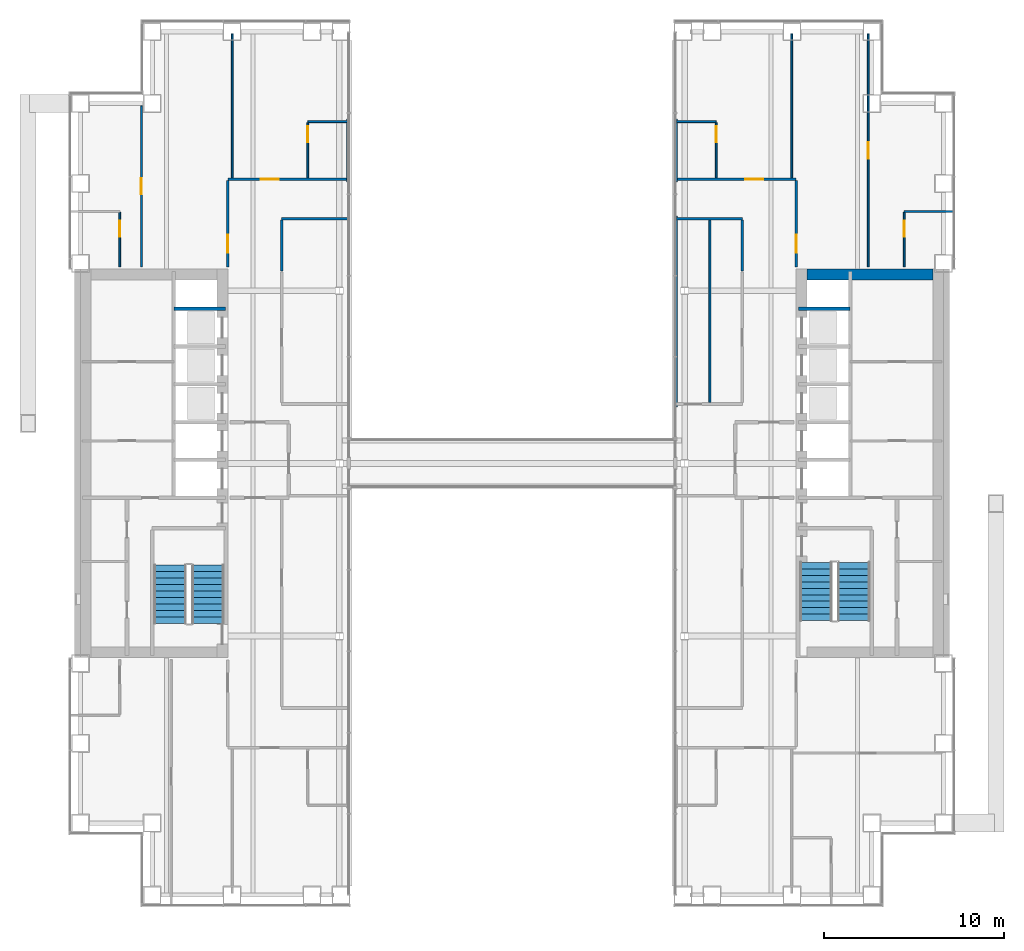
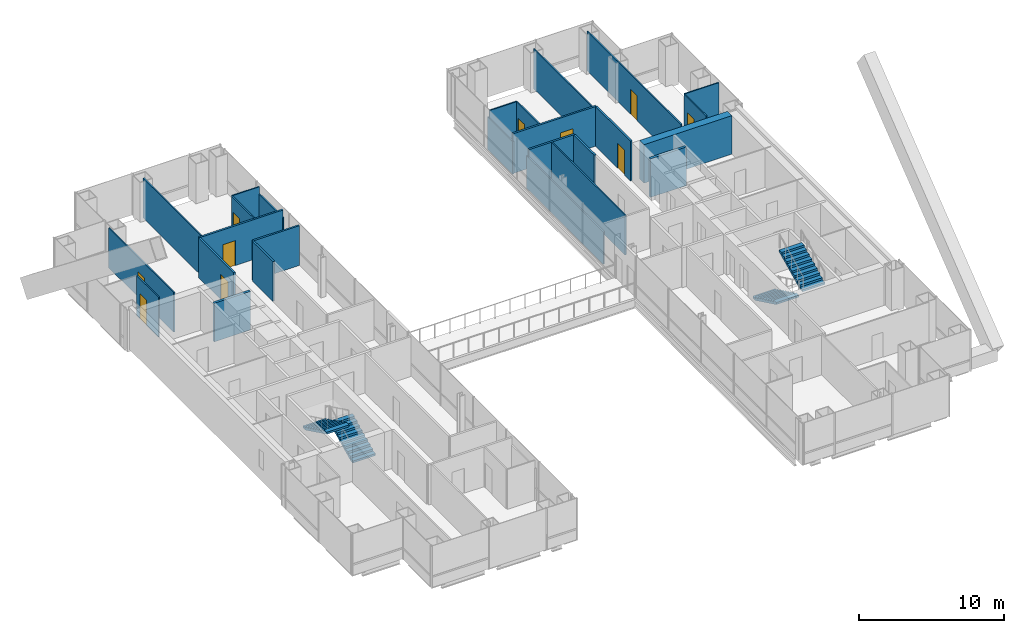
# One storey, part 17 of 19: 26 walls, 10 doors, 4 stair flights, 10 openings, 2 elements without a shape of their own.
"""IFC4 building model written with IfcOpenShell, lengths in metres."""

from ifc_helpers import new_model, si_unit, direction, frame, frame_2d, origin, place, context, subcontext, project, spatial, polyline, rectangle, outline, extrude, material, layer, layer_set, type_object, element, fill, aggregate, save


model = new_model("IFC4")

# Units and contexts
model_context = context("Model", 3, precision=1e-05, world=origin(), true_north=direction((0.0, 1.0)))
body_context = subcontext(model_context, "Body", "Model", "MODEL_VIEW")
ifc_project = project(units=[si_unit("LENGTHUNIT", "METRE"), si_unit("AREAUNIT", "SQUARE_METRE"), si_unit("VOLUMEUNIT", "CUBIC_METRE"), si_unit("PLANEANGLEUNIT", "RADIAN"), si_unit("MASSUNIT", "GRAM", prefix="KILO")], contexts=[model_context])

# Site, building, storey
site_placement = place(None, origin())
site = spatial("IfcSite", under=ifc_project, at=site_placement, CompositionType="ELEMENT")
building_placement = place(site_placement, origin())
building = spatial("IfcBuilding", under=site, at=building_placement, Name="Cobrizo Arcos Hotel Tower", CompositionType="ELEMENT")
storey_placement = place(building_placement, frame((0.0, 0.0, 70.5)))
storey = spatial("IfcBuildingStorey", under=building, at=storey_placement, Name="L16", CompositionType="ELEMENT", Elevation=70.5)

# Walls
ifc_material_1 = material(Name="Gypsum board partition")
ifc_layer_1 = layer(ifc_material_1, 0.14990234375)
ifc_layer_set_1 = layer_set([ifc_layer_1], Name="Corridor wall EI 60 150")
wall_type_1 = type_object("IfcWallType", Name="Corridor wall EI 60 150", PredefinedType="PARTITIONING", material=ifc_layer_set_1)
wall_1_placement = place(storey_placement, frame((-12.800048828125, 13.60009765625, 0.0), z_axis=(0.0, 0.0, 1.0), x_axis=(1.0, 0.0, 0.0)))
element("IfcWall", 1, at=wall_1_placement, inside=storey, type_object=wall_type_1, Name="Partition 038", PredefinedType="PARTITIONING", context=body_context, shape_type="SweptSolid", body=[
    extrude(rectangle(XDim=3.679931640625, YDim=0.14990234375, at=frame_2d((1.83984375, 0.0))), origin(), (0.0, 0.0, 1.0), 3.35009765625),
])
wall_2_placement = place(storey_placement, frame((9.14990234375, 13.60009765625, 0.0), z_axis=(0.0, 0.0, 1.0), x_axis=(1.0, 0.0, 0.0)))
element("IfcWall", 2, at=wall_2_placement, inside=storey, type_object=wall_type_1, Name="Partition 039", PredefinedType="PARTITIONING", context=body_context, shape_type="SweptSolid", body=[
    extrude(rectangle(XDim=3.650146484375, YDim=0.14990234375, at=frame_2d((1.8251953125, 0.0))), origin(), (0.0, 0.0, 1.0), 3.35009765625),
])

# Wall, opening, door
wall_3_placement = place(storey_placement, frame((-15.800048828125, 15.800048828125, 0.0), z_axis=(0.0, 0.0, 1.0), x_axis=(1.0, 0.0, 0.0)))
wall_3 = element("IfcWall", 3, at=wall_3_placement, inside=storey, type_object=wall_type_1, Name="Partition 042", PredefinedType="PARTITIONING", context=body_context, shape_type="SweptSolid", body=[
    extrude(rectangle(XDim=6.650146484375, YDim=0.14990234375, at=frame_2d((3.3251953125, 0.0))), origin(), (0.0, 0.0, 1.0), 3.35009765625),
])
opening_1_placement = place(wall_3_placement, frame((1.846923828125, 0.0, 0.0)))
opening_1 = element("IfcOpeningElement", 4, at=opening_1_placement, cuts=wall_3, Name="Opening GD-02", PredefinedType="OPENING", context=body_context, shape_type="SweptSolid", body=[
    extrude(rectangle(XDim=1.0, YDim=2.10009765625, at=frame_2d((0.5, 1.050048828125))), frame((0.0, 0.0869140625, 0.0), z_axis=(0.0, -1.0, 0.0), x_axis=(1.0, 0.0, 0.0)), (0.0, 0.0, 1.0), 0.173828125),
])
ifc_material_2 = material(Name="Timber door leaf", Category="wood")
door_type_1 = type_object("IfcDoorType", Name="Guest room door FD30S 1000x2100", OperationType="SINGLE_SWING_LEFT", PredefinedType="DOOR", material=ifc_material_2)
door_1_placement = place(opening_1_placement, origin())
door_1 = element("IfcDoor", 5, at=door_1_placement, inside=storey, type_object=door_type_1, Name="Door GD-02", OperationType="SINGLE_SWING_LEFT", OverallHeight=2.10009765625, OverallWidth=1.0, PredefinedType="DOOR", context=body_context, shape_type="SweptSolid", body=[
    extrude(rectangle(XDim=1.0, YDim=2.10009765625, at=frame_2d((0.5, 1.050048828125))), frame((0.0, 0.02490234375, 0.0), z_axis=(0.0, -1.0, 0.0), x_axis=(1.0, 0.0, 0.0)), (0.0, 0.0, 1.0), 0.050048828125),
])
fill(opening_1, door_1)

wall_4_placement = place(storey_placement, frame((9.14990234375, 15.800048828125, 0.0), z_axis=(0.0, 0.0, 1.0), x_axis=(1.0, 0.0, 0.0)))
wall_4 = element("IfcWall", 6, at=wall_4_placement, inside=storey, type_object=wall_type_1, Name="Partition 043", PredefinedType="PARTITIONING", context=body_context, shape_type="SweptSolid", body=[
    extrude(rectangle(XDim=6.650146484375, YDim=0.14990234375, at=frame_2d((3.3251953125, 0.0))), origin(), (0.0, 0.0, 1.0), 3.35009765625),
])
opening_2_placement = place(wall_4_placement, frame((3.802978515625, 0.0, 0.0)))
opening_2 = element("IfcOpeningElement", 7, at=opening_2_placement, cuts=wall_4, Name="Opening GD-01", PredefinedType="OPENING", context=body_context, shape_type="SweptSolid", body=[
    extrude(rectangle(XDim=1.0, YDim=2.10009765625, at=frame_2d((0.5, 1.050048828125))), frame((0.0, 0.0869140625, 0.0), z_axis=(0.0, -1.0, 0.0), x_axis=(1.0, 0.0, 0.0)), (0.0, 0.0, 1.0), 0.173828125),
])
door_2_placement = place(opening_2_placement, origin())
door_2 = element("IfcDoor", 8, at=door_2_placement, inside=storey, type_object=door_type_1, Name="Door GD-01", OperationType="SINGLE_SWING_RIGHT", OverallHeight=2.10009765625, OverallWidth=1.0, PredefinedType="DOOR", context=body_context, shape_type="SweptSolid", body=[
    extrude(rectangle(XDim=1.0, YDim=2.10009765625, at=frame_2d((0.5, 1.050048828125))), frame((0.0, 0.02490234375, 0.0), z_axis=(0.0, -1.0, 0.0), x_axis=(1.0, 0.0, 0.0)), (0.0, 0.0, 1.0), 0.050048828125),
])
fill(opening_2, door_2)

wall_5_placement = place(storey_placement, frame((-15.800048828125, 10.919921875, 0.0), z_axis=(0.0, 0.0, 1.0), x_axis=(0.0, 1.0, 0.0)))
wall_5 = element("IfcWall", 9, at=wall_5_placement, inside=storey, type_object=wall_type_1, Name="Partition 054", PredefinedType="PARTITIONING", context=body_context, shape_type="SweptSolid", body=[
    extrude(rectangle(XDim=4.80517578125, YDim=0.14990234375, at=frame_2d((2.402587890625, 0.0))), origin(), (0.0, 0.0, 1.0), 3.35009765625),
])
opening_3_placement = place(wall_5_placement, frame((0.780029296875, 0.0, 0.0)))
opening_3 = element("IfcOpeningElement", 10, at=opening_3_placement, cuts=wall_5, Name="Opening GD-06", PredefinedType="OPENING", context=body_context, shape_type="SweptSolid", body=[
    extrude(rectangle(XDim=1.0, YDim=2.10009765625, at=frame_2d((0.5, 1.050048828125))), frame((0.0, 0.0869140625, 0.0), z_axis=(0.0, -1.0, 0.0), x_axis=(1.0, 0.0, 0.0)), (0.0, 0.0, 1.0), 0.173828125),
])
door_3_placement = place(opening_3_placement, origin())
door_3 = element("IfcDoor", 11, at=door_3_placement, inside=storey, type_object=door_type_1, Name="Door GD-06", OperationType="SINGLE_SWING_RIGHT", OverallHeight=2.10009765625, OverallWidth=1.0, PredefinedType="DOOR", context=body_context, shape_type="SweptSolid", body=[
    extrude(rectangle(XDim=1.0, YDim=2.10009765625, at=frame_2d((0.5, 1.050048828125))), frame((0.0, 0.02490234375, 0.0), z_axis=(0.0, -1.0, 0.0), x_axis=(1.0, 0.0, 0.0)), (0.0, 0.0, 1.0), 0.050048828125),
])
fill(opening_3, door_3)

# Walls
for number, where, z_axis, x_axis, name in (
    (12, (-12.800048828125, 10.699951171875, 0.0), (0.0, 0.0, 1.0), (0.0, 1.0, 0.0), "Partition 059"),
    (13, (12.800048828125, 10.699951171875, 0.0), (0.0, 0.0, 1.0), (0.0, 1.0, 0.0), "Partition 074"),
):
    element("IfcWall", number, at=place(storey_placement, frame(where, z_axis=z_axis, x_axis=x_axis)), inside=storey, type_object=wall_type_1, Name=name, PredefinedType="PARTITIONING", context=body_context, shape_type="SweptSolid", body=[
        extrude(rectangle(XDim=2.824951171875, YDim=0.14990234375, at=frame_2d((1.41259765625, 0.0))), origin(), (0.0, 0.0, 1.0), 3.35009765625),
    ])

# Wall, opening, door
wall_6_placement = place(storey_placement, frame((15.800048828125, 10.919921875, 0.0), z_axis=(0.0, 0.0, 1.0), x_axis=(0.0, 1.0, 0.0)))
wall_6 = element("IfcWall", 14, at=wall_6_placement, inside=storey, type_object=wall_type_1, Name="Partition 078", PredefinedType="PARTITIONING", context=body_context, shape_type="SweptSolid", body=[
    extrude(rectangle(XDim=4.80517578125, YDim=0.14990234375, at=frame_2d((2.402587890625, 0.0))), origin(), (0.0, 0.0, 1.0), 3.35009765625),
])
opening_4_placement = place(wall_6_placement, frame((0.780029296875, 0.0, 0.0)))
opening_4 = element("IfcOpeningElement", 15, at=opening_4_placement, cuts=wall_6, Name="Opening GD-08", PredefinedType="OPENING", context=body_context, shape_type="SweptSolid", body=[
    extrude(rectangle(XDim=1.0, YDim=2.10009765625, at=frame_2d((0.5, 1.050048828125))), frame((0.0, 0.0869140625, 0.0), z_axis=(0.0, -1.0, 0.0), x_axis=(1.0, 0.0, 0.0)), (0.0, 0.0, 1.0), 0.173828125),
])
door_4_placement = place(opening_4_placement, origin())
door_4 = element("IfcDoor", 16, at=door_4_placement, inside=storey, type_object=door_type_1, Name="Door GD-08", OperationType="SINGLE_SWING_LEFT", OverallHeight=2.10009765625, OverallWidth=1.0, PredefinedType="DOOR", context=body_context, shape_type="SweptSolid", body=[
    extrude(rectangle(XDim=1.0, YDim=2.10009765625, at=frame_2d((0.5, 1.050048828125))), frame((0.0, 0.02490234375, 0.0), z_axis=(0.0, -1.0, 0.0), x_axis=(1.0, 0.0, 0.0)), (0.0, 0.0, 1.0), 0.050048828125),
])
fill(opening_4, door_4)

# Walls
ifc_layer_2 = layer(ifc_material_1, 0.10009765625)
ifc_layer_set_2 = layer_set([ifc_layer_2], Name="Partition EI 30 100")
wall_type_2 = type_object("IfcWallType", Name="Partition EI 30 100", PredefinedType="PARTITIONING", material=ifc_layer_set_2)
wall_7_placement = place(storey_placement, frame((21.800048828125, 14.0, 0.0), z_axis=(0.0, 0.0, 1.0), x_axis=(1.0, 0.0, 0.0)))
element("IfcWall", 17, at=wall_7_placement, inside=storey, type_object=wall_type_2, Name="Partition 041", PredefinedType="PARTITIONING", context=body_context, shape_type="SweptSolid", body=[
    extrude(rectangle(XDim=2.72998046875, YDim=0.10009765625, at=frame_2d((1.364990234375, 0.0))), origin(), (0.0, 0.0, 1.0), 3.35009765625),
])
for number, where, z_axis, x_axis, name in (
    (18, (-11.35009765625, 19.0, 0.0), (0.0, 0.0, 1.0), (1.0, 0.0, 0.0), "Partition 044"),
    (19, (9.14990234375, 19.0, 0.0), (0.0, 0.0, 1.0), (1.0, 0.0, 0.0), "Partition 045"),
):
    element("IfcWall", number, at=place(storey_placement, frame(where, z_axis=z_axis, x_axis=x_axis)), inside=storey, type_object=wall_type_2, Name=name, PredefinedType="PARTITIONING", context=body_context, shape_type="SweptSolid", body=[
        extrude(rectangle(XDim=2.2001953125, YDim=0.10009765625, at=frame_2d((1.10009765625, 0.0))), origin(), (0.0, 0.0, 1.0), 3.35009765625),
    ])

# Wall, opening, door
wall_8_placement = place(storey_placement, frame((-21.800048828125, 10.919921875, 0.0), z_axis=(0.0, 0.0, 1.0), x_axis=(0.0, 1.0, 0.0)))
wall_8 = element("IfcWall", 20, at=wall_8_placement, inside=storey, type_object=wall_type_2, Name="Partition 047", PredefinedType="PARTITIONING", context=body_context, shape_type="SweptSolid", body=[
    extrude(rectangle(XDim=3.030029296875, YDim=0.10009765625, at=frame_2d((1.51513671875, 0.0))), origin(), (0.0, 0.0, 1.0), 3.35009765625),
])
opening_5_placement = place(wall_8_placement, frame((1.669921875, 0.0, 0.0)))
opening_5 = element("IfcOpeningElement", 21, at=opening_5_placement, cuts=wall_8, Name="Opening ED-06", PredefinedType="OPENING", context=body_context, shape_type="SweptSolid", body=[
    extrude(rectangle(XDim=0.89990234375, YDim=2.10009765625, at=frame_2d((0.449951171875, 1.050048828125))), frame((0.0, 0.06201171875, 0.0), z_axis=(0.0, -1.0, 0.0), x_axis=(1.0, 0.0, 0.0)), (0.0, 0.0, 1.0), 0.1240234375),
])
door_type_2 = type_object("IfcDoorType", Name="En-suite door 900x2100", OperationType="SINGLE_SWING_LEFT", PredefinedType="DOOR", material=ifc_material_2)
door_5_placement = place(opening_5_placement, origin())
door_5 = element("IfcDoor", 22, at=door_5_placement, inside=storey, type_object=door_type_2, Name="Door ED-06", OperationType="SINGLE_SWING_RIGHT", OverallHeight=2.10009765625, OverallWidth=0.89990234375, PredefinedType="DOOR", context=body_context, shape_type="SweptSolid", body=[
    extrude(rectangle(XDim=0.89990234375, YDim=2.10009765625, at=frame_2d((0.449951171875, 1.050048828125))), frame((0.0, 0.02490234375, 0.0), z_axis=(0.0, -1.0, 0.0), x_axis=(1.0, 0.0, 0.0)), (0.0, 0.0, 1.0), 0.050048828125),
])
fill(opening_5, door_5)

wall_9_placement = place(storey_placement, frame((-20.60009765625, 10.919921875, 0.0), z_axis=(0.0, 0.0, 1.0), x_axis=(0.0, 1.0, 0.0)))
wall_9 = element("IfcWall", 23, at=wall_9_placement, inside=storey, type_object=wall_type_2, Name="Partition 049", PredefinedType="PARTITIONING", context=body_context, shape_type="SweptSolid", body=[
    extrude(rectangle(XDim=8.9599609375, YDim=0.10009765625, at=frame_2d((4.47998046875, 0.0))), origin(), (0.0, 0.0, 1.0), 3.35009765625),
])
opening_6_placement = place(wall_9_placement, frame((4.030029296875, 0.0, 0.0)))
opening_6 = element("IfcOpeningElement", 24, at=opening_6_placement, cuts=wall_9, Name="Opening RD-12", PredefinedType="OPENING", context=body_context, shape_type="SweptSolid", body=[
    extrude(rectangle(XDim=0.89990234375, YDim=2.10009765625, at=frame_2d((0.449951171875, 1.050048828125))), frame((0.0, 0.06201171875, 0.0), z_axis=(0.0, -1.0, 0.0), x_axis=(1.0, 0.0, 0.0)), (0.0, 0.0, 1.0), 0.1240234375),
])
door_type_3 = type_object("IfcDoorType", Name="Room door FD30 900x2100", OperationType="SINGLE_SWING_LEFT", PredefinedType="DOOR", material=ifc_material_2)
door_6_placement = place(opening_6_placement, origin())
door_6 = element("IfcDoor", 25, at=door_6_placement, inside=storey, type_object=door_type_3, Name="Door RD-12", OperationType="SINGLE_SWING_RIGHT", OverallHeight=2.10009765625, OverallWidth=0.89990234375, PredefinedType="DOOR", context=body_context, shape_type="SweptSolid", body=[
    extrude(rectangle(XDim=0.89990234375, YDim=2.10009765625, at=frame_2d((0.449951171875, 1.050048828125))), frame((0.0, 0.02490234375, 0.0), z_axis=(0.0, -1.0, 0.0), x_axis=(1.0, 0.0, 0.0)), (0.0, 0.0, 1.0), 0.050048828125),
])
fill(opening_6, door_6)

# Wall
wall_10_placement = place(storey_placement, frame((-15.550048828125, 15.875, 0.0), z_axis=(0.0, 0.0, 1.0), x_axis=(0.0, 1.0, 0.0)))
element("IfcWall", 26, at=wall_10_placement, inside=storey, type_object=wall_type_2, Name="Partition 056", PredefinedType="PARTITIONING", context=body_context, shape_type="SweptSolid", body=[
    extrude(rectangle(XDim=8.0048828125, YDim=0.10009765625, at=frame_2d((4.00244140625, 0.0))), origin(), (0.0, 0.0, 1.0), 3.35009765625),
])

# Wall, opening, door
wall_11_placement = place(storey_placement, frame((-11.35009765625, 15.875, 0.0), z_axis=(0.0, 0.0, 1.0), x_axis=(0.0, 1.0, 0.0)))
wall_11 = element("IfcWall", 27, at=wall_11_placement, inside=storey, type_object=wall_type_2, Name="Partition 062", PredefinedType="PARTITIONING", context=body_context, shape_type="SweptSolid", body=[
    extrude(rectangle(XDim=3.074951171875, YDim=0.10009765625, at=frame_2d((1.53759765625, 0.0))), origin(), (0.0, 0.0, 1.0), 3.35009765625),
])
opening_7_placement = place(wall_11_placement, frame((1.970947265625, 0.0, 0.0)))
opening_7 = element("IfcOpeningElement", 28, at=opening_7_placement, cuts=wall_11, Name="Opening ED-02", PredefinedType="OPENING", context=body_context, shape_type="SweptSolid", body=[
    extrude(rectangle(XDim=0.89990234375, YDim=2.10009765625, at=frame_2d((0.449951171875, 1.050048828125))), frame((0.0, 0.06201171875, 0.0), z_axis=(0.0, -1.0, 0.0), x_axis=(1.0, 0.0, 0.0)), (0.0, 0.0, 1.0), 0.1240234375),
])
door_7_placement = place(opening_7_placement, origin())
door_7 = element("IfcDoor", 29, at=door_7_placement, inside=storey, type_object=door_type_2, Name="Door ED-02", OperationType="SINGLE_SWING_LEFT", OverallHeight=2.10009765625, OverallWidth=0.89990234375, PredefinedType="DOOR", context=body_context, shape_type="SweptSolid", body=[
    extrude(rectangle(XDim=0.89990234375, YDim=2.10009765625, at=frame_2d((0.449951171875, 1.050048828125))), frame((0.0, 0.02490234375, 0.0), z_axis=(0.0, -1.0, 0.0), x_axis=(1.0, 0.0, 0.0)), (0.0, 0.0, 1.0), 0.050048828125),
])
fill(opening_7, door_7)

# Walls
wall_12_placement = place(storey_placement, frame((-9.14990234375, 15.659912109375, 0.0), z_axis=(0.0, 0.0, 1.0), x_axis=(0.0, 1.0, 0.0)))
element("IfcWall", 30, at=wall_12_placement, inside=storey, type_object=wall_type_2, Name="Partition 064", PredefinedType="PARTITIONING", context=body_context, shape_type="SweptSolid", body=[
    extrude(rectangle(XDim=3.47998046875, YDim=0.10009765625, at=frame_2d((1.739990234375, 0.0))), origin(), (0.0, 0.0, 1.0), 2.73291015625),
])
wall_13_placement = place(storey_placement, frame((9.14990234375, 3.159912109375, 0.0), z_axis=(0.0, 0.0, 1.0), x_axis=(0.0, 1.0, 0.0)))
element("IfcWall", 31, at=wall_13_placement, inside=storey, type_object=wall_type_2, Name="Partition 066", PredefinedType="PARTITIONING", context=body_context, shape_type="SweptSolid", body=[
    extrude(rectangle(XDim=10.580078125, YDim=0.10009765625, at=frame_2d((5.2900390625, 0.0))), origin(), (0.0, 0.0, 1.0), 2.73291015625),
])
wall_14_placement = place(storey_placement, frame((9.14990234375, 15.659912109375, 0.0), z_axis=(0.0, 0.0, 1.0), x_axis=(0.0, 1.0, 0.0)))
element("IfcWall", 32, at=wall_14_placement, inside=storey, type_object=wall_type_2, Name="Partition 067", PredefinedType="PARTITIONING", context=body_context, shape_type="SweptSolid", body=[
    extrude(rectangle(XDim=3.47998046875, YDim=0.10009765625, at=frame_2d((1.739990234375, 0.0))), origin(), (0.0, 0.0, 1.0), 2.73291015625),
])
wall_15_placement = place(storey_placement, frame((11.0, 3.375, 0.0), z_axis=(0.0, 0.0, 1.0), x_axis=(0.0, 1.0, 0.0)))
element("IfcWall", 33, at=wall_15_placement, inside=storey, type_object=wall_type_2, Name="Partition 068", PredefinedType="PARTITIONING", context=body_context, shape_type="SweptSolid", body=[
    extrude(rectangle(XDim=10.14990234375, YDim=0.10009765625, at=frame_2d((5.074951171875, 0.0))), origin(), (0.0, 0.0, 1.0), 3.35009765625),
])

# Wall, opening, door
wall_16_placement = place(storey_placement, frame((11.35009765625, 15.875, 0.0), z_axis=(0.0, 0.0, 1.0), x_axis=(0.0, 1.0, 0.0)))
wall_16 = element("IfcWall", 34, at=wall_16_placement, inside=storey, type_object=wall_type_2, Name="Partition 070", PredefinedType="PARTITIONING", context=body_context, shape_type="SweptSolid", body=[
    extrude(rectangle(XDim=3.074951171875, YDim=0.10009765625, at=frame_2d((1.53759765625, 0.0))), origin(), (0.0, 0.0, 1.0), 3.35009765625),
])
opening_8_placement = place(wall_16_placement, frame((1.970947265625, 0.0, 0.0)))
opening_8 = element("IfcOpeningElement", 35, at=opening_8_placement, cuts=wall_16, Name="Opening ED-01", PredefinedType="OPENING", context=body_context, shape_type="SweptSolid", body=[
    extrude(rectangle(XDim=0.89990234375, YDim=2.10009765625, at=frame_2d((0.449951171875, 1.050048828125))), frame((0.0, 0.06201171875, 0.0), z_axis=(0.0, -1.0, 0.0), x_axis=(1.0, 0.0, 0.0)), (0.0, 0.0, 1.0), 0.1240234375),
])
door_8_placement = place(opening_8_placement, origin())
door_8 = element("IfcDoor", 36, at=door_8_placement, inside=storey, type_object=door_type_2, Name="Door ED-01", OperationType="SINGLE_SWING_LEFT", OverallHeight=2.10009765625, OverallWidth=0.89990234375, PredefinedType="DOOR", context=body_context, shape_type="SweptSolid", body=[
    extrude(rectangle(XDim=0.89990234375, YDim=2.10009765625, at=frame_2d((0.449951171875, 1.050048828125))), frame((0.0, 0.02490234375, 0.0), z_axis=(0.0, -1.0, 0.0), x_axis=(1.0, 0.0, 0.0)), (0.0, 0.0, 1.0), 0.050048828125),
])
fill(opening_8, door_8)

# Wall
wall_17_placement = place(storey_placement, frame((15.550048828125, 15.875, 0.0), z_axis=(0.0, 0.0, 1.0), x_axis=(0.0, 1.0, 0.0)))
element("IfcWall", 37, at=wall_17_placement, inside=storey, type_object=wall_type_2, Name="Partition 076", PredefinedType="PARTITIONING", context=body_context, shape_type="SweptSolid", body=[
    extrude(rectangle(XDim=8.0048828125, YDim=0.10009765625, at=frame_2d((4.00244140625, 0.0))), origin(), (0.0, 0.0, 1.0), 3.35009765625),
])

# Wall, opening, door
wall_18_placement = place(storey_placement, frame((19.800048828125, 10.919921875, 0.0), z_axis=(0.0, 0.0, 1.0), x_axis=(0.0, 1.0, 0.0)))
wall_18 = element("IfcWall", 38, at=wall_18_placement, inside=storey, type_object=wall_type_2, Name="Partition 081", PredefinedType="PARTITIONING", context=body_context, shape_type="SweptSolid", body=[
    extrude(rectangle(XDim=12.9599609375, YDim=0.10009765625, at=frame_2d((6.47998046875, 0.0))), origin(), (0.0, 0.0, 1.0), 3.35009765625),
])
opening_9_placement = place(wall_18_placement, frame((6.030029296875, 0.0, 0.0)))
opening_9 = element("IfcOpeningElement", 39, at=opening_9_placement, cuts=wall_18, Name="Opening RD-14", PredefinedType="OPENING", context=body_context, shape_type="SweptSolid", body=[
    extrude(rectangle(XDim=0.89990234375, YDim=2.10009765625, at=frame_2d((0.449951171875, 1.050048828125))), frame((0.0, 0.06201171875, 0.0), z_axis=(0.0, -1.0, 0.0), x_axis=(1.0, 0.0, 0.0)), (0.0, 0.0, 1.0), 0.1240234375),
])
door_9_placement = place(opening_9_placement, origin())
door_9 = element("IfcDoor", 40, at=door_9_placement, inside=storey, type_object=door_type_3, Name="Door RD-14", OperationType="SINGLE_SWING_LEFT", OverallHeight=2.10009765625, OverallWidth=0.89990234375, PredefinedType="DOOR", context=body_context, shape_type="SweptSolid", body=[
    extrude(rectangle(XDim=0.89990234375, YDim=2.10009765625, at=frame_2d((0.449951171875, 1.050048828125))), frame((0.0, 0.02490234375, 0.0), z_axis=(0.0, -1.0, 0.0), x_axis=(1.0, 0.0, 0.0)), (0.0, 0.0, 1.0), 0.050048828125),
])
fill(opening_9, door_9)

wall_19_placement = place(storey_placement, frame((21.800048828125, 10.919921875, 0.0), z_axis=(0.0, 0.0, 1.0), x_axis=(0.0, 1.0, 0.0)))
wall_19 = element("IfcWall", 41, at=wall_19_placement, inside=storey, type_object=wall_type_2, Name="Partition 084", PredefinedType="PARTITIONING", context=body_context, shape_type="SweptSolid", body=[
    extrude(rectangle(XDim=3.030029296875, YDim=0.10009765625, at=frame_2d((1.51513671875, 0.0))), origin(), (0.0, 0.0, 1.0), 3.35009765625),
])
opening_10_placement = place(wall_19_placement, frame((1.669921875, 0.0, 0.0)))
opening_10 = element("IfcOpeningElement", 42, at=opening_10_placement, cuts=wall_19, Name="Opening ED-08", PredefinedType="OPENING", context=body_context, shape_type="SweptSolid", body=[
    extrude(rectangle(XDim=0.89990234375, YDim=2.10009765625, at=frame_2d((0.449951171875, 1.050048828125))), frame((0.0, 0.06201171875, 0.0), z_axis=(0.0, -1.0, 0.0), x_axis=(1.0, 0.0, 0.0)), (0.0, 0.0, 1.0), 0.1240234375),
])
door_10_placement = place(opening_10_placement, origin())
door_10 = element("IfcDoor", 43, at=door_10_placement, inside=storey, type_object=door_type_2, Name="Door ED-08", OperationType="SINGLE_SWING_RIGHT", OverallHeight=2.10009765625, OverallWidth=0.89990234375, PredefinedType="DOOR", context=body_context, shape_type="SweptSolid", body=[
    extrude(rectangle(XDim=0.89990234375, YDim=2.10009765625, at=frame_2d((0.449951171875, 1.050048828125))), frame((0.0, 0.02490234375, 0.0), z_axis=(0.0, -1.0, 0.0), x_axis=(1.0, 0.0, 0.0)), (0.0, 0.0, 1.0), 0.050048828125),
])
fill(opening_10, door_10)

# Walls
ifc_material_3 = material(Name="Concrete f'c 60 MPa", Category="concrete")
ifc_layer_3 = layer(ifc_material_3, 0.60009765625)
ifc_layer_set_3 = layer_set([ifc_layer_3], Name="RC core wall 600 f'c 60")
wall_type_3 = type_object("IfcWallType", Name="RC core wall 600 f'c 60", PredefinedType="SHEAR", material=ifc_layer_set_3)
wall_20_placement = place(storey_placement, frame((16.39990234375, 10.5, 0.0), z_axis=(0.0, 0.0, 1.0), x_axis=(1.0, 0.0, 0.0)))
element("IfcWall", 44, at=wall_20_placement, inside=storey, type_object=wall_type_3, Name="Core wall CW1, east core, north end, L16", PredefinedType="SHEAR", context=body_context, shape_type="SweptSolid", body=[
    extrude(rectangle(XDim=7.0, YDim=0.60009765625, at=frame_2d((3.5, 0.0))), origin(), (0.0, 0.0, 1.0), 3.25),
])
ifc_layer_4 = layer(ifc_material_1, 0.199951171875)
ifc_layer_set_4 = layer_set([ifc_layer_4], Name="Shaft wall EI 120 200")
wall_type_4 = type_object("IfcWallType", Name="Shaft wall EI 120 200", PredefinedType="PARTITIONING", material=ifc_layer_set_4)
for number, where, z_axis, x_axis, name in (
    (45, (-18.800048828125, 8.60009765625, 0.0), (0.0, 0.0, 1.0), (1.0, 0.0, 0.0), "Partition 036"),
    (46, (15.919921875, 8.60009765625, 0.0), (0.0, 0.0, 1.0), (1.0, 0.0, 0.0), "Partition 037"),
):
    element("IfcWall", number, at=place(storey_placement, frame(where, z_axis=z_axis, x_axis=x_axis)), inside=storey, type_object=wall_type_4, Name=name, PredefinedType="PARTITIONING", context=body_context, shape_type="SweptSolid", body=[
        extrude(rectangle(XDim=2.880126953125, YDim=0.199951171875, at=frame_2d((1.43994140625, 0.0))), origin(), (0.0, 0.0, 1.0), 3.25),
    ])

# Stair, stair flights
ifc_material_4 = material(Name="Concrete f'c 40 MPa", Category="concrete")
stair_type = type_object("IfcStairType", Name="Exit stair", PredefinedType="HALF_TURN_STAIR", material=ifc_material_4)
stair_1_placement = place(storey_placement, origin())
stair_1 = element("IfcStair", 47, at=stair_1_placement, inside=storey, type_object=stair_type, Name="L16 Exit stair ST-W", PredefinedType="HALF_TURN_STAIR")
stair_flight_type = type_object("IfcStairFlightType", Name="Exit stair flight", PredefinedType="STRAIGHT", material=ifc_material_4)
stair_flight_1_placement = place(storey_placement, frame((-16.89990234375, -8.89990234375, 0.0), z_axis=(0.0, 0.0, 1.0), x_axis=(0.0, 1.0, 0.0)))
stair_flight_1 = element("IfcStairFlight", 48, at=stair_flight_1_placement, type_object=stair_flight_type, Name="ST-W flight 1", NumberOfRisers=10, NumberOfTreads=9, PredefinedType="STRAIGHT", RiserHeight=0.175, TreadLength=0.36, context=body_context, shape_type="SweptSolid", body=[
    extrude(outline(polyline([(0.0, 0.0), (0.0, 0.175048828125), (0.360107421875, 0.175048828125), (0.360107421875, 0.35009765625), (0.719970703125, 0.35009765625), (0.719970703125, 0.52490234375), (1.080078125, 0.52490234375), (1.080078125, 0.699951171875), (1.43994140625, 0.699951171875), (1.43994140625, 0.875), (1.800048828125, 0.875), (1.800048828125, 1.050048828125), (2.159912109375, 1.050048828125), (2.159912109375, 1.22509765625), (2.52001953125, 1.22509765625), (2.52001953125, 1.39990234375), (2.8798828125, 1.39990234375), (2.8798828125, 1.574951171875), (3.239990234375, 1.574951171875), (3.239990234375, 1.75), (3.239990234375, 1.408203125), (0.3427734375, 0.0), (0.0, 0.0)])), frame((0.0, 0.89990234375, 0.0), z_axis=(0.0, -1.0, 0.0), x_axis=(1.0, 0.0, 0.0)), (0.0, 0.0, 1.0), 1.800048828125),
])
stair_flight_2_placement = place(storey_placement, frame((-19.0, -5.659912109375, 1.75), z_axis=(0.0, 0.0, 1.0), x_axis=(0.0, -1.0, 0.0)))
stair_flight_2 = element("IfcStairFlight", 49, at=stair_flight_2_placement, type_object=stair_flight_type, Name="ST-W flight 2", NumberOfRisers=10, NumberOfTreads=9, PredefinedType="STRAIGHT", RiserHeight=0.175, TreadLength=0.36, context=body_context, shape_type="SweptSolid", body=[
    extrude(outline(polyline([(0.0, 0.0), (0.0, 0.175048828125), (0.360107421875, 0.175048828125), (0.360107421875, 0.35009765625), (0.719970703125, 0.35009765625), (0.719970703125, 0.52490234375), (1.080078125, 0.52490234375), (1.080078125, 0.699951171875), (1.43994140625, 0.699951171875), (1.43994140625, 0.875), (1.800048828125, 0.875), (1.800048828125, 1.050048828125), (2.159912109375, 1.050048828125), (2.159912109375, 1.22509765625), (2.52001953125, 1.22509765625), (2.52001953125, 1.39990234375), (2.8798828125, 1.39990234375), (2.8798828125, 1.574951171875), (3.239990234375, 1.574951171875), (3.239990234375, 1.75), (3.239990234375, 1.408203125), (0.3427734375, 0.0), (0.0, 0.0)])), frame((0.0, 0.89990234375, 0.0), z_axis=(0.0, -1.0, 0.0), x_axis=(1.0, 0.0, 0.0)), (0.0, 0.0, 1.0), 1.800048828125),
])
aggregate(stair_1, [stair_flight_1, stair_flight_2])

stair_2_placement = place(storey_placement, origin())
stair_2 = element("IfcStair", 50, at=stair_2_placement, inside=storey, type_object=stair_type, Name="L16 Exit stair ST-E", PredefinedType="HALF_TURN_STAIR")
stair_flight_3_placement = place(storey_placement, frame((16.89990234375, -5.5, 0.0), z_axis=(0.0, 0.0, 1.0), x_axis=(0.0, -1.0, 0.0)))
stair_flight_3 = element("IfcStairFlight", 51, at=stair_flight_3_placement, type_object=stair_flight_type, Name="ST-E flight 1", NumberOfRisers=10, NumberOfTreads=9, PredefinedType="STRAIGHT", RiserHeight=0.175, TreadLength=0.36, context=body_context, shape_type="SweptSolid", body=[
    extrude(outline(polyline([(0.0, 0.0), (0.0, 0.175048828125), (0.360107421875, 0.175048828125), (0.360107421875, 0.35009765625), (0.719970703125, 0.35009765625), (0.719970703125, 0.52490234375), (1.080078125, 0.52490234375), (1.080078125, 0.699951171875), (1.43994140625, 0.699951171875), (1.43994140625, 0.875), (1.800048828125, 0.875), (1.800048828125, 1.050048828125), (2.159912109375, 1.050048828125), (2.159912109375, 1.22509765625), (2.52001953125, 1.22509765625), (2.52001953125, 1.39990234375), (2.8798828125, 1.39990234375), (2.8798828125, 1.574951171875), (3.239990234375, 1.574951171875), (3.239990234375, 1.75), (3.239990234375, 1.408203125), (0.3427734375, 0.0), (0.0, 0.0)])), frame((0.0, 0.89990234375, 0.0), z_axis=(0.0, -1.0, 0.0), x_axis=(1.0, 0.0, 0.0)), (0.0, 0.0, 1.0), 1.800048828125),
])
stair_flight_4_placement = place(storey_placement, frame((19.0, -8.739990234375, 1.75), z_axis=(0.0, 0.0, 1.0), x_axis=(0.0, 1.0, 0.0)))
stair_flight_4 = element("IfcStairFlight", 52, at=stair_flight_4_placement, type_object=stair_flight_type, Name="ST-E flight 2", NumberOfRisers=10, NumberOfTreads=9, PredefinedType="STRAIGHT", RiserHeight=0.175, TreadLength=0.36, context=body_context, shape_type="SweptSolid", body=[
    extrude(outline(polyline([(0.0, 0.0), (0.0, 0.175048828125), (0.360107421875, 0.175048828125), (0.360107421875, 0.35009765625), (0.719970703125, 0.35009765625), (0.719970703125, 0.52490234375), (1.080078125, 0.52490234375), (1.080078125, 0.699951171875), (1.43994140625, 0.699951171875), (1.43994140625, 0.875), (1.800048828125, 0.875), (1.800048828125, 1.050048828125), (2.159912109375, 1.050048828125), (2.159912109375, 1.22509765625), (2.52001953125, 1.22509765625), (2.52001953125, 1.39990234375), (2.8798828125, 1.39990234375), (2.8798828125, 1.574951171875), (3.239990234375, 1.574951171875), (3.239990234375, 1.75), (3.239990234375, 1.408203125), (0.3427734375, 0.0), (0.0, 0.0)])), frame((0.0, 0.89990234375, 0.0), z_axis=(0.0, -1.0, 0.0), x_axis=(1.0, 0.0, 0.0)), (0.0, 0.0, 1.0), 1.800048828125),
])
aggregate(stair_2, [stair_flight_3, stair_flight_4])

save(model, "model.ifc")
